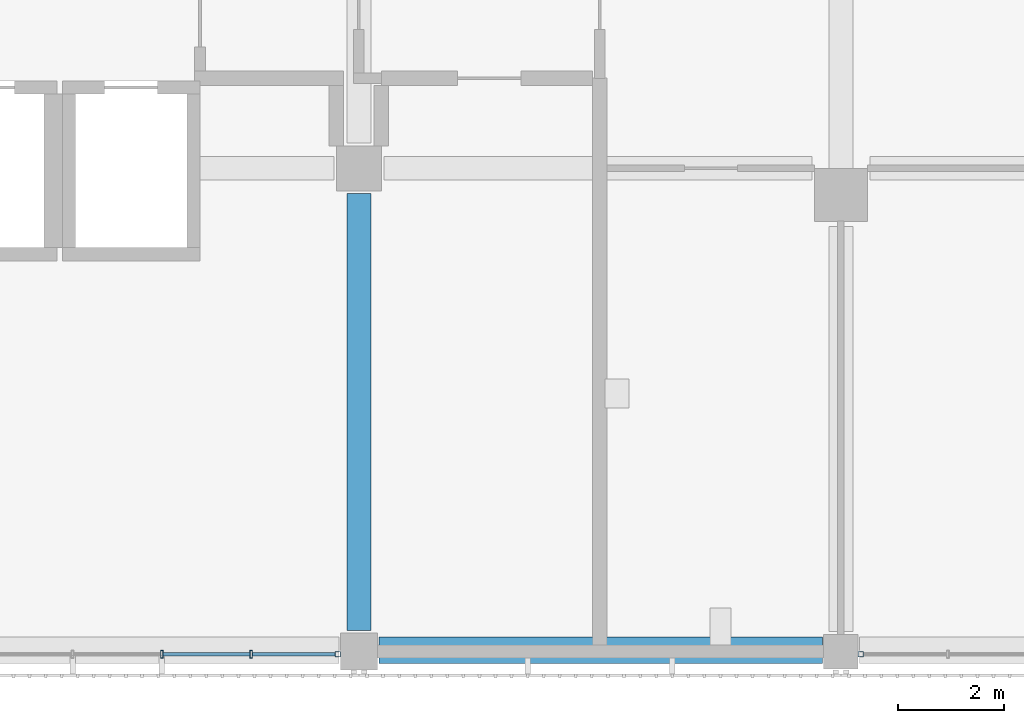
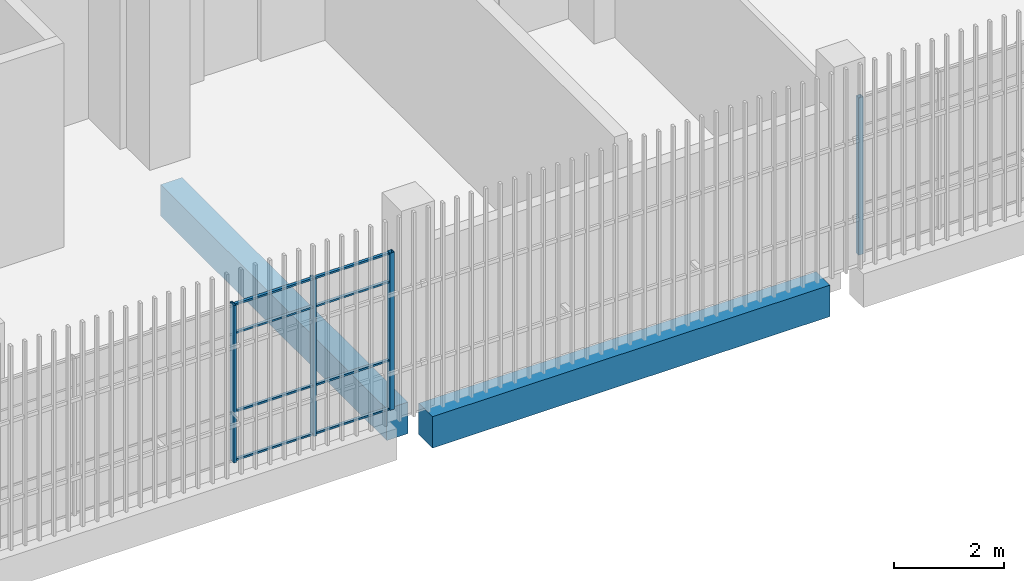
# One storey, part 6 of 126: 12 members, 2 beams, 2 elements without a shape of their own.
"""IFC4 building model written with IfcOpenShell, lengths in metres."""

from ifc_helpers import new_model, si_unit, direction, frame, origin, origin_2d, place, context, subcontext, project, spatial, rectangle, hollow_rectangle, extrude, material, layer, layer_set, material_profile, profile_set, type_object, element, aggregate, save


model = new_model("IFC4")

# Units and contexts
model_context = context("Model", 3, precision=1e-05, world=origin(), true_north=direction((0.0, 1.0)))
body_context = subcontext(model_context, "Body", "Model", "MODEL_VIEW")
ifc_project = project(units=[si_unit("LENGTHUNIT", "METRE"), si_unit("AREAUNIT", "SQUARE_METRE"), si_unit("VOLUMEUNIT", "CUBIC_METRE"), si_unit("PLANEANGLEUNIT", "RADIAN"), si_unit("MASSUNIT", "GRAM", prefix="KILO")], contexts=[model_context])

# Site, building, storey
site_placement = place(None, origin())
site = spatial("IfcSite", under=ifc_project, at=site_placement, CompositionType="ELEMENT")
building_placement = place(site_placement, origin())
building = spatial("IfcBuilding", under=site, at=building_placement, Name="Shirokan Park Arena", CompositionType="ELEMENT")
storey_placement = place(building_placement, frame((0.0, 0.0, 6.3701171875)))
storey = spatial("IfcBuildingStorey", under=building, at=storey_placement, Name="L01", CompositionType="ELEMENT", Elevation=6.3701171875)

# Curtain wall, member
ifc_material_1 = material(Name="Steel and glass curtain wall", Category="steel")
ifc_layer = layer(ifc_material_1, 0.14990234375)
ifc_layer_set = layer_set([ifc_layer], Name="Steel and glass curtain wall 150 mm")
curtain_wall_type = type_object("IfcCurtainWallType", Name="Curtain wall exposed bay 150", PredefinedType="NOTDEFINED", material=ifc_layer_set)
curtain_wall_1_placement = place(storey_placement, origin())
curtain_wall_1 = element("IfcCurtainWall", 1, at=curtain_wall_1_placement, inside=storey, type_object=curtain_wall_type, Name="Curtain wall south bay 4 L01", PredefinedType="NOTDEFINED")
ifc_material_2 = material(Name="Steel S355", Category="steel")
ifc_material_profile_1 = material_profile(ifc_material_2, hollow_rectangle(XDim=0.10009765625, YDim=0.10009765625, WallThickness=0.006103515625, at=origin_2d()), Name="RHS 100x100x6")
ifc_profile_set_1 = profile_set([ifc_material_profile_1], Name="Steel S355")
member_type_1 = type_object("IfcMemberType", Name="Mullion RHS 100x100x6", PredefinedType="MULLION", material=ifc_profile_set_1)
member_1_placement = place(storey_placement, frame((36.0, -0.074951171875, 0.0), z_axis=(0.0, 0.0, 1.0), x_axis=(0.0, 1.0, 0.0)))
member_1 = element("IfcMember", 2, at=member_1_placement, type_object=member_type_1, Name="CW1 mullion 6", PredefinedType="MULLION", context=body_context, shape_type="SweptSolid", body=[
    extrude(hollow_rectangle(XDim=0.10009765625, YDim=0.10009765625, WallThickness=0.006103515625, at=origin_2d()), origin(), (0.0, 0.0, 1.0), 3.5),
])

curtain_wall_2_placement = place(storey_placement, origin())
curtain_wall_2 = element("IfcCurtainWall", 3, at=curtain_wall_2_placement, inside=storey, type_object=curtain_wall_type, Name="Curtain wall south bay 6 L01", PredefinedType="NOTDEFINED")
member_2_placement = place(storey_placement, frame((45.875, -0.074951171875, 0.0), z_axis=(0.0, 0.0, 1.0), x_axis=(0.0, 1.0, 0.0)))
member_2 = element("IfcMember", 4, at=member_2_placement, type_object=member_type_1, Name="CW1 mullion 1", PredefinedType="MULLION", context=body_context, shape_type="SweptSolid", body=[
    extrude(hollow_rectangle(XDim=0.10009765625, YDim=0.10009765625, WallThickness=0.006103515625, at=origin_2d()), origin(), (0.0, 0.0, 1.0), 3.5),
])
aggregate(curtain_wall_2, [member_2])

# Member
ifc_material_profile_2 = material_profile(ifc_material_2, hollow_rectangle(XDim=0.14990234375, YDim=0.050048828125, WallThickness=0.006103515625, at=origin_2d()), Name="RHS 150x50x6")
ifc_profile_set_2 = profile_set([ifc_material_profile_2], Name="Steel S355")
member_type_2 = type_object("IfcMemberType", Name="Mullion RHS 150x50x6", PredefinedType="MULLION", material=ifc_profile_set_2)
member_3_placement = place(storey_placement, frame((32.679931640625, -0.074951171875, 0.0), z_axis=(0.0, 0.0, 1.0), x_axis=(0.0, 1.0, 0.0)))
member_3 = element("IfcMember", 5, at=member_3_placement, type_object=member_type_2, Name="CW1 mullion 4", PredefinedType="MULLION", context=body_context, shape_type="SweptSolid", body=[
    extrude(hollow_rectangle(XDim=0.14990234375, YDim=0.050048828125, WallThickness=0.006103515625, at=origin_2d()), origin(), (0.0, 0.0, 1.0), 3.5),
])

member_4_placement = place(storey_placement, frame((34.364990234375, -0.074951171875, 0.0), z_axis=(0.0, 0.0, 1.0), x_axis=(0.0, 1.0, 0.0)))
member_4 = element("IfcMember", 6, at=member_4_placement, type_object=member_type_2, Name="CW1 mullion 5", PredefinedType="MULLION", context=body_context, shape_type="SweptSolid", body=[
    extrude(hollow_rectangle(XDim=0.14990234375, YDim=0.050048828125, WallThickness=0.006103515625, at=origin_2d()), origin(), (0.0, 0.0, 1.0), 3.5),
])

# Beams
ifc_material_3 = material(Name="Concrete C35", Category="concrete")
ifc_material_profile_3 = material_profile(ifc_material_3, rectangle(XDim=0.449951171875, YDim=0.699951171875, at=origin_2d()), Name="450x700")
ifc_profile_set_3 = profile_set([ifc_material_profile_3], Name="Concrete C35")
beam_type_1 = type_object("IfcBeamType", Name="RC girder 450x700", PredefinedType="BEAM", material=ifc_profile_set_3)
beam_1_placement = place(storey_placement, frame((36.39990234375, 0.375, -0.7001953125), z_axis=(0.0, 1.0, 0.0), x_axis=(-1.0, 0.0, 0.0)))
element("IfcBeam", 7, at=beam_1_placement, inside=storey, type_object=beam_type_1, Name="Girder 5A-5B L01", PredefinedType="BEAM", context=body_context, shape_type="SweptSolid", body=[
    extrude(rectangle(XDim=0.449951171875, YDim=0.699951171875, at=origin_2d()), origin(), (0.0, 0.0, 1.0), 8.25),
])
ifc_material_profile_4 = material_profile(ifc_material_3, rectangle(XDim=0.5, YDim=0.699951171875, at=origin_2d()), Name="500x700")
ifc_profile_set_4 = profile_set([ifc_material_profile_4], Name="Concrete C35")
beam_type_2 = type_object("IfcBeamType", Name="RC girder 500x700", PredefinedType="BEAM", material=ifc_profile_set_4)
beam_2_placement = place(storey_placement, frame((36.775146484375, 0.0, -0.7001953125), z_axis=(1.0, 0.0, 0.0), x_axis=(0.0, 1.0, 0.0)))
element("IfcBeam", 8, at=beam_2_placement, inside=storey, type_object=beam_type_2, Name="Girder 5A-6A L01", PredefinedType="BEAM", context=body_context, shape_type="SweptSolid", body=[
    extrude(rectangle(XDim=0.5, YDim=0.699951171875, at=origin_2d()), origin(), (0.0, 0.0, 1.0), 8.374755859375),
])

# Member
ifc_material_profile_5 = material_profile(ifc_material_2, hollow_rectangle(XDim=0.06005859375, YDim=0.0400390625, WallThickness=0.00390625, at=origin_2d()), Name="RHS 60x40x4")
ifc_profile_set_5 = profile_set([ifc_material_profile_5], Name="Steel S355")
member_type_3 = type_object("IfcMemberType", Name="Transom RHS 60x40x4", PredefinedType="MULLION", material=ifc_profile_set_5)
member_5_placement = place(storey_placement, frame((32.705078125, -0.074951171875, 0.019775390625), z_axis=(1.0, 0.0, 0.0), x_axis=(0.0, 1.0, 0.0)))
member_5 = element("IfcMember", 9, at=member_5_placement, type_object=member_type_3, Name="CW1 transom 4.1", PredefinedType="MULLION", context=body_context, shape_type="SweptSolid", body=[
    extrude(hollow_rectangle(XDim=0.06005859375, YDim=0.0400390625, WallThickness=0.00390625, at=origin_2d()), origin(), (0.0, 0.0, 1.0), 1.635009765625),
])

member_6_placement = place(storey_placement, frame((32.705078125, -0.074951171875, 1.099853515625), z_axis=(1.0, 0.0, 0.0), x_axis=(0.0, 1.0, 0.0)))
member_6 = element("IfcMember", 10, at=member_6_placement, type_object=member_type_3, Name="CW1 transom 4.2", PredefinedType="MULLION", context=body_context, shape_type="SweptSolid", body=[
    extrude(hollow_rectangle(XDim=0.06005859375, YDim=0.0400390625, WallThickness=0.00390625, at=origin_2d()), origin(), (0.0, 0.0, 1.0), 1.635009765625),
])

member_7_placement = place(storey_placement, frame((32.705078125, -0.074951171875, 2.849853515625), z_axis=(1.0, 0.0, 0.0), x_axis=(0.0, 1.0, 0.0)))
member_7 = element("IfcMember", 11, at=member_7_placement, type_object=member_type_3, Name="CW1 transom 4.3", PredefinedType="MULLION", context=body_context, shape_type="SweptSolid", body=[
    extrude(hollow_rectangle(XDim=0.06005859375, YDim=0.0400390625, WallThickness=0.00390625, at=origin_2d()), origin(), (0.0, 0.0, 1.0), 1.635009765625),
])

member_8_placement = place(storey_placement, frame((32.705078125, -0.074951171875, 3.47998046875), z_axis=(1.0, 0.0, 0.0), x_axis=(0.0, 1.0, 0.0)))
member_8 = element("IfcMember", 12, at=member_8_placement, type_object=member_type_3, Name="CW1 transom 4.4", PredefinedType="MULLION", context=body_context, shape_type="SweptSolid", body=[
    extrude(hollow_rectangle(XDim=0.06005859375, YDim=0.0400390625, WallThickness=0.00390625, at=origin_2d()), origin(), (0.0, 0.0, 1.0), 1.635009765625),
])

member_9_placement = place(storey_placement, frame((34.389892578125, -0.074951171875, 0.019775390625), z_axis=(1.0, 0.0, 0.0), x_axis=(0.0, 1.0, 0.0)))
member_9 = element("IfcMember", 13, at=member_9_placement, type_object=member_type_3, Name="CW1 transom 5.1", PredefinedType="MULLION", context=body_context, shape_type="SweptSolid", body=[
    extrude(hollow_rectangle(XDim=0.06005859375, YDim=0.0400390625, WallThickness=0.00390625, at=origin_2d()), origin(), (0.0, 0.0, 1.0), 1.56005859375),
])

member_10_placement = place(storey_placement, frame((34.389892578125, -0.074951171875, 1.099853515625), z_axis=(1.0, 0.0, 0.0), x_axis=(0.0, 1.0, 0.0)))
member_10 = element("IfcMember", 14, at=member_10_placement, type_object=member_type_3, Name="CW1 transom 5.2", PredefinedType="MULLION", context=body_context, shape_type="SweptSolid", body=[
    extrude(hollow_rectangle(XDim=0.06005859375, YDim=0.0400390625, WallThickness=0.00390625, at=origin_2d()), origin(), (0.0, 0.0, 1.0), 1.56005859375),
])

member_11_placement = place(storey_placement, frame((34.389892578125, -0.074951171875, 2.849853515625), z_axis=(1.0, 0.0, 0.0), x_axis=(0.0, 1.0, 0.0)))
member_11 = element("IfcMember", 15, at=member_11_placement, type_object=member_type_3, Name="CW1 transom 5.3", PredefinedType="MULLION", context=body_context, shape_type="SweptSolid", body=[
    extrude(hollow_rectangle(XDim=0.06005859375, YDim=0.0400390625, WallThickness=0.00390625, at=origin_2d()), origin(), (0.0, 0.0, 1.0), 1.56005859375),
])

member_12_placement = place(storey_placement, frame((34.389892578125, -0.074951171875, 3.47998046875), z_axis=(1.0, 0.0, 0.0), x_axis=(0.0, 1.0, 0.0)))
member_12 = element("IfcMember", 16, at=member_12_placement, type_object=member_type_3, Name="CW1 transom 5.4", PredefinedType="MULLION", context=body_context, shape_type="SweptSolid", body=[
    extrude(hollow_rectangle(XDim=0.06005859375, YDim=0.0400390625, WallThickness=0.00390625, at=origin_2d()), origin(), (0.0, 0.0, 1.0), 1.56005859375),
])

aggregate(curtain_wall_1, [member_3, member_4, member_1, member_5, member_6, member_7, member_8, member_9, member_10, member_11, member_12])

save(model, "model.ifc")
